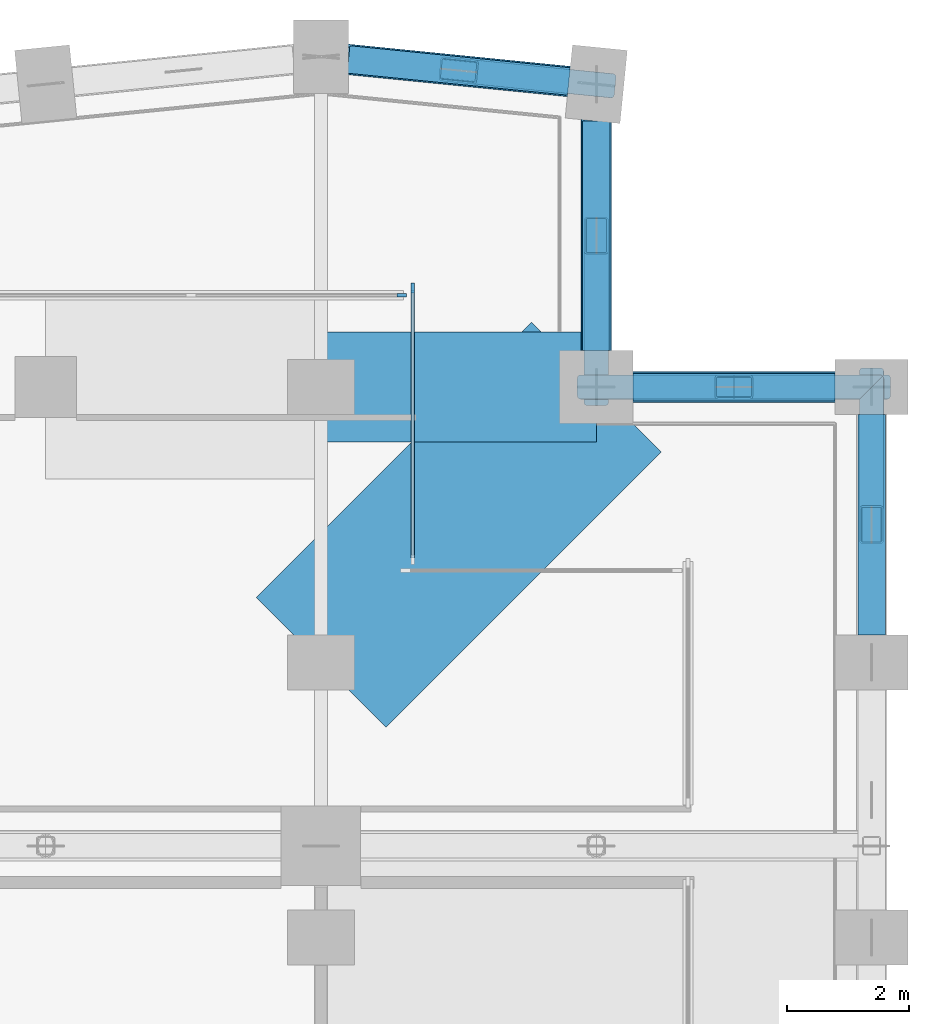
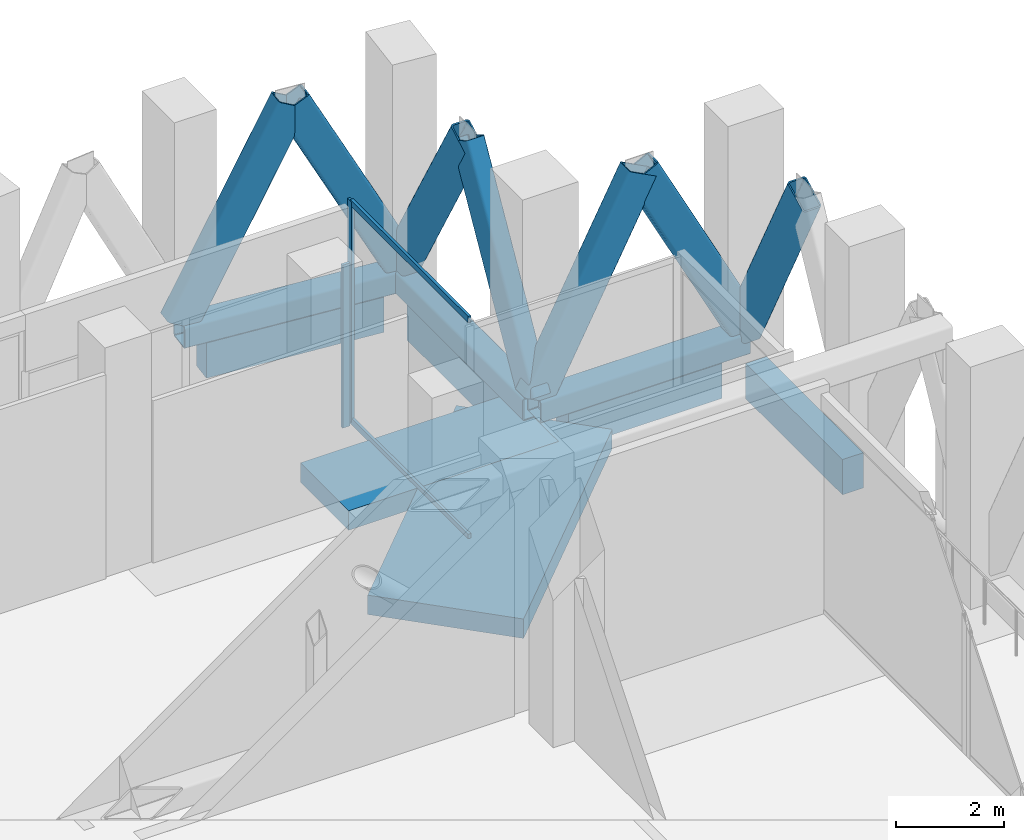
# One storey, part 19 of 37: 14 members, 6 beams, 2 elements without a shape of their own.
"""IFC4 building model written with IfcOpenShell, lengths in metres."""

import ifcopenshell
import ifcopenshell.guid

model = None  # the IFC model being written
_history = None  # IfcOwnerHistory: only IFC2X3 demands one
_inside = {}  # id of a spatial element -> (the spatial element, [elements in it])
_under = {}  # id of a project, library or spatial element -> (it, [spatial elements below it])
_declared = {}  # id of a project -> (the project, [libraries it declares])
_typed = {}  # id of a type object -> (the type object, [elements of that type])
_made_of = {}  # id of a material, layer set ... -> (it, [elements and type objects made of it])


def new_model(schema):
    """Start an empty IFC model of exactly this schema.

    Asked for "IFC4X3", IfcOpenShell would pick the latest addendum, in which some entities
    have other attributes; the version numbers below select the first issue.
    IFC2X3 requires an IfcOwnerHistory on every rooted entity: one is made here for all.
    """
    global model, _history
    if schema == "IFC4X3":
        model = ifcopenshell.file(schema_version=(4, 3, 0, 0))
    else:
        model = ifcopenshell.file(schema=schema)
    _inside.clear()
    _under.clear()
    _declared.clear()
    _typed.clear()
    _made_of.clear()
    _history = None
    if model.schema == "IFC2X3":
        org = make("IfcOrganization", Name="unknown")
        user = make(
            "IfcPersonAndOrganization",
            ThePerson=make("IfcPerson", FamilyName="unknown"),
            TheOrganization=org,
        )
        app = make(
            "IfcApplication",
            ApplicationDeveloper=org,
            Version="unknown",
            ApplicationFullName="unknown",
            ApplicationIdentifier="unknown",
        )
        _history = make(
            "IfcOwnerHistory",
            OwningUser=user,
            OwningApplication=app,
            ChangeAction="ADDED",
            CreationDate=0,
        )
    return model


def make(cls, **values):
    """One entity of the class cls with the attributes given. An attribute that is None is left unset."""
    return model.create_entity(
        cls, **{name: value for name, value in values.items() if value is not None}
    )


def rooted(cls, **values):
    """An entity with a GlobalId (a new one), such as an element, a storey or a relation."""
    return make(cls, GlobalId=ifcopenshell.guid.new(), OwnerHistory=_history, **values)


def si_unit(unit_type, name, prefix=None):
    """IfcSIUnit, for example si_unit("LENGTHUNIT", "METRE", prefix="MILLI")."""
    return make("IfcSIUnit", UnitType=unit_type, Prefix=prefix, Name=name)


def assignment(units):
    """IfcUnitAssignment: the units of a project."""
    return None if units is None else make("IfcUnitAssignment", Units=units)


def point(xyz):
    """IfcCartesianPoint."""
    return None if xyz is None else make("IfcCartesianPoint", Coordinates=xyz)


def direction(xyz):
    """IfcDirection."""
    return None if xyz is None else make("IfcDirection", DirectionRatios=xyz)


def frame(location, z_axis=None, x_axis=None):
    """IfcAxis2Placement3D, a coordinate frame: its origin and axes. An axis left out is left unset."""
    return make(
        "IfcAxis2Placement3D",
        Location=point(location),
        Axis=direction(z_axis),
        RefDirection=direction(x_axis),
    )


def frame_2d(location, x_axis=None):
    """IfcAxis2Placement2D, a coordinate frame in the plane: its origin and x axis."""
    return make(
        "IfcAxis2Placement2D", Location=point(location), RefDirection=direction(x_axis)
    )


def origin():
    """The frame at (0, 0, 0) with its axes left unset."""
    return frame((0.0, 0.0, 0.0))


def origin_2d():
    """The frame at (0, 0) in the plane with its x axis left unset."""
    return frame_2d((0.0, 0.0))


def place(relative_to, where):
    """IfcLocalPlacement: puts the frame where relative to a parent placement (None: the world)."""
    return make(
        "IfcLocalPlacement", PlacementRelTo=relative_to, RelativePlacement=where
    )


def context(
    kind, dimensions, precision=None, world=None, true_north=None, identifier=None
):
    """IfcGeometricRepresentationContext, for example the 3D "Model" context."""
    return make(
        "IfcGeometricRepresentationContext",
        ContextIdentifier=identifier,
        ContextType=kind,
        CoordinateSpaceDimension=dimensions,
        Precision=precision,
        WorldCoordinateSystem=world,
        TrueNorth=true_north,
    )


def subcontext(parent, identifier, kind, view, scale=None):
    """IfcGeometricRepresentationSubContext, for example "Body" below "Model"."""
    return make(
        "IfcGeometricRepresentationSubContext",
        ContextIdentifier=identifier,
        ContextType=kind,
        ParentContext=parent,
        TargetScale=scale,
        TargetView=view,
    )


def project(units=None, contexts=None):
    """IfcProject with its units and contexts."""
    return rooted(
        "IfcProject",
        Name="project",
        RepresentationContexts=contexts,
        UnitsInContext=assignment(units),
    )


def spatial(cls, under=None, at=None, **own):
    """A site, building, storey or space (cls), placed at a placement, below another one or the project."""
    s = rooted(cls, ObjectPlacement=at, **own)
    if under is not None:
        _under.setdefault(under.id(), (under, []))[1].append(s)
    return s


def profile(cls, at=None, kind="AREA", **sizes):
    """A parametric profile (cls). Its sizes go by their IFC names, for example OverallWidth=200.0."""
    return make(cls, ProfileType=kind, Position=at, **sizes)


def rectangle(**sizes):
    """IfcRectangleProfileDef."""
    return profile("IfcRectangleProfileDef", **sizes)


def hollow_rectangle(**sizes):
    """IfcRectangleHollowProfileDef."""
    return profile("IfcRectangleHollowProfileDef", **sizes)


def extrude(swept, where, along, depth):
    """IfcExtrudedAreaSolid: the profile swept, set in the frame where, extruded along a direction by depth."""
    return make(
        "IfcExtrudedAreaSolid",
        SweptArea=swept,
        Position=where,
        ExtrudedDirection=direction(along),
        Depth=depth,
    )


def shape(context_of_items, identifier, shape_type, items):
    """IfcShapeRepresentation: the items that make up one representation, for example the "Body"."""
    return make(
        "IfcShapeRepresentation",
        ContextOfItems=context_of_items,
        RepresentationIdentifier=identifier,
        RepresentationType=shape_type,
        Items=items,
    )


def material(Name=None, Category=None):
    """IfcMaterial."""
    return make("IfcMaterial", Name=Name, Category=Category)


def material_profile(
    of_material, cross_section, Name=None, Category=None, Priority=None
):
    """IfcMaterialProfile: a cross section and its material."""
    return make(
        "IfcMaterialProfile",
        Name=Name,
        Material=of_material,
        Profile=cross_section,
        Priority=Priority,
        Category=Category,
    )


def profile_set(profiles, Name=None, composite=None):
    """IfcMaterialProfileSet."""
    return make(
        "IfcMaterialProfileSet",
        Name=Name,
        MaterialProfiles=profiles,
        CompositeProfile=composite,
    )


def made_of(thing, what):
    """Note that an element or type object is made of a material, layer set ...; save() writes the relation."""
    if what is not None:
        _made_of.setdefault(what.id(), (what, []))[1].append(thing)
    return thing


def type_object(cls, material=None, **own):
    """A type object (cls), such as IfcWallType, which elements share."""
    return made_of(rooted(cls, **own), material)


def element(
    cls,
    number,
    at=None,
    inside=None,
    cuts=None,
    type_object=None,
    material=None,
    context=None,
    identifier="Body",
    shape_type=None,
    held_by="IfcProductDefinitionShape",
    body=None,
    shapes=None,
    **own,
):
    """One element of the class cls, such as IfcWall. Its Tag is "e" and its number.

    at: its placement. inside: the storey or other place that contains it. cuts: it is an
    opening in that element (IfcRelVoidsElement). A single representation is given by context,
    identifier, shape_type and body (its items); several are given by shapes. held_by: the class
    of the entity that holds the representations. save() writes the other relations.
    """
    e = rooted(cls, Tag="e%d" % number, ObjectPlacement=at, **own)
    if body is not None:
        shapes = [shape(context, identifier, shape_type, body)]
    if shapes is not None:
        e.Representation = make(held_by, Representations=shapes)
    if inside is not None:
        _inside.setdefault(inside.id(), (inside, []))[1].append(e)
    if cuts is not None:
        rooted(
            "IfcRelVoidsElement", RelatingBuildingElement=cuts, RelatedOpeningElement=e
        )
    if type_object is not None:
        _typed.setdefault(type_object.id(), (type_object, []))[1].append(e)
    return made_of(e, material)


def aggregate(whole, parts):
    """IfcRelAggregates: a whole, such as a stair, and the parts it consists of."""
    return rooted("IfcRelAggregates", RelatingObject=whole, RelatedObjects=parts)


def save(model, path):
    """Write the relations noted so far, then the file.

    IfcRelAggregates (storeys below a building ...), IfcRelContainedInSpatialStructure (elements
    in a storey), IfcRelDefinesByType, IfcRelAssociatesMaterial and IfcRelDeclares: one each for
    every whole, place, type object, material and project.
    """
    for whole, parts in _under.values():
        aggregate(whole, parts)
    for where, things in _inside.values():
        rooted(
            "IfcRelContainedInSpatialStructure",
            RelatedElements=things,
            RelatingStructure=where,
        )
    for kind, things in _typed.values():
        rooted("IfcRelDefinesByType", RelatedObjects=things, RelatingType=kind)
    for what, things in _made_of.values():
        rooted("IfcRelAssociatesMaterial", RelatedObjects=things, RelatingMaterial=what)
    for by, libraries in _declared.values():
        rooted("IfcRelDeclares", RelatingContext=by, RelatedDefinitions=libraries)
    model.write(path)


model = new_model("IFC4")

# Units and contexts
model_context = context("Model", 3, precision=1e-05, world=origin(), true_north=direction((0.0, 1.0)))
body_context = subcontext(model_context, "Body", "Model", "MODEL_VIEW")
ifc_project = project(units=[si_unit("LENGTHUNIT", "METRE"), si_unit("AREAUNIT", "SQUARE_METRE"), si_unit("VOLUMEUNIT", "CUBIC_METRE"), si_unit("PLANEANGLEUNIT", "RADIAN"), si_unit("MASSUNIT", "GRAM", prefix="KILO")], contexts=[model_context])

# Site, building, storey
site_placement = place(None, origin())
site = spatial("IfcSite", under=ifc_project, at=site_placement, CompositionType="ELEMENT")
building_placement = place(site_placement, origin())
building = spatial("IfcBuilding", under=site, at=building_placement, Name="Brondeck Convention Tower", CompositionType="ELEMENT")
storey_placement = place(building_placement, frame((0.0, 0.0, 137.89990234375)))
storey = spatial("IfcBuildingStorey", under=building, at=storey_placement, Name="L33", CompositionType="ELEMENT", Elevation=137.89990234375)

# Beams
ifc_material_1 = material(Name="Concrete C70/85", Category="concrete")
ifc_material_profile_1 = material_profile(ifc_material_1, rectangle(XDim=1.800048828125, YDim=0.43994140625, at=origin_2d()), Name="Band beam 1800x440 Concrete C70/85")
ifc_profile_set_1 = profile_set([ifc_material_profile_1], Name="Concrete C70/85")
beam_type_1 = type_object("IfcBeamType", Name="Band beam 1800x440 Concrete C70/85", PredefinedType="BEAM", material=ifc_profile_set_1)
beam_1_placement = place(storey_placement, frame((63.0, 58.5, -0.219970703125), z_axis=(1.0, 0.0, 0.0), x_axis=(0.0, 1.0, 0.0)))
element("IfcBeam", 1, at=beam_1_placement, inside=storey, type_object=beam_type_1, Name="Band beam L33-28", PredefinedType="BEAM", context=body_context, shape_type="SweptSolid", body=[
    extrude(rectangle(XDim=1.800048828125, YDim=0.43994140625, at=origin_2d()), origin(), (0.0, 0.0, 1.0), 4.5),
])
ifc_material_profile_2 = material_profile(ifc_material_1, rectangle(XDim=3.0, YDim=0.43994140625, at=origin_2d()), Name="Band beam 3000x440 Concrete C70/85")
ifc_profile_set_2 = profile_set([ifc_material_profile_2], Name="Concrete C70/85")
beam_type_2 = type_object("IfcBeamType", Name="Band beam 3000x440 Concrete C70/85", PredefinedType="BEAM", material=ifc_profile_set_2)
beam_2_placement = place(storey_placement, frame((63.0, 54.0, -0.219970703125), z_axis=(0.707106781187, 0.707106781187, 0.0), x_axis=(-0.707106781187, 0.707106781187, 0.0)))
element("IfcBeam", 2, at=beam_2_placement, inside=storey, type_object=beam_type_2, Name="Band beam L33-27", PredefinedType="BEAM", context=body_context, shape_type="SweptSolid", body=[
    extrude(rectangle(XDim=3.0, YDim=0.43994140625, at=origin_2d()), origin(), (0.0, 0.0, 1.0), 6.364013671875),
])

# Curtain wall, member
ifc_material_2 = material(Name="Aluminium, bronze anodised", Category="aluminium")
curtain_wall_type = type_object("IfcCurtainWallType", Name="Sky lobby curtain wall", PredefinedType="NOTDEFINED", material=ifc_material_2)
curtain_wall_1_placement = place(storey_placement, origin())
curtain_wall_1 = element("IfcCurtainWall", 3, at=curtain_wall_1_placement, inside=storey, type_object=curtain_wall_type, Name="ENV-L33-023-CW30", PredefinedType="NOTDEFINED")
ifc_material_profile_3 = material_profile(ifc_material_2, rectangle(XDim=0.06005859375, YDim=0.159912109375, at=origin_2d()), Name="CW3 mullion")
ifc_profile_set_3 = profile_set([ifc_material_profile_3], Name="Aluminium, bronze anodised")
member_type_1 = type_object("IfcMemberType", Name="CW3 mullion", PredefinedType="MULLION", material=ifc_profile_set_3)
member_1_placement = place(storey_placement, frame((64.5, 60.1201171875, 0.0), z_axis=(0.0, 0.0, 1.0), x_axis=(1.0, 0.0, 0.0)))
member_1 = element("IfcMember", 4, at=member_1_placement, type_object=member_type_1, Name="CW3 mullion 1", PredefinedType="MULLION", context=body_context, shape_type="SweptSolid", body=[
    extrude(rectangle(XDim=0.06005859375, YDim=0.159912109375, at=origin_2d()), origin(), (0.0, 0.0, 1.0), 5.0),
])

curtain_wall_2_placement = place(storey_placement, origin())
curtain_wall_2 = element("IfcCurtainWall", 5, at=curtain_wall_2_placement, inside=storey, type_object=curtain_wall_type, Name="ENV-L33-024-CW30", PredefinedType="NOTDEFINED")
member_2_placement = place(storey_placement, frame((64.320068359375, 60.0, 0.0), z_axis=(0.0, 0.0, 1.0), x_axis=(0.0, 1.0, 0.0)))
member_2 = element("IfcMember", 6, at=member_2_placement, type_object=member_type_1, Name="CW3 mullion 3", PredefinedType="MULLION", context=body_context, shape_type="SweptSolid", body=[
    extrude(rectangle(XDim=0.06005859375, YDim=0.159912109375, at=origin_2d()), origin(), (0.0, 0.0, 1.0), 3.7001953125),
])
aggregate(curtain_wall_2, [member_2])

# Member
ifc_material_profile_4 = material_profile(ifc_material_2, rectangle(XDim=0.06005859375, YDim=0.139892578125, at=origin_2d()), Name="CW3 transom")
ifc_profile_set_4 = profile_set([ifc_material_profile_4], Name="Aluminium, bronze anodised")
member_type_2 = type_object("IfcMemberType", Name="CW3 transom", PredefinedType="USERDEFINED", material=ifc_profile_set_4)
member_3_placement = place(storey_placement, frame((64.5, 60.090087890625, 0.030029296875), z_axis=(0.0, -1.0, 0.0), x_axis=(1.0, 0.0, 0.0)))
member_3 = element("IfcMember", 7, at=member_3_placement, type_object=member_type_2, Name="CW3 transom 1.1", ObjectType="TRANSOM", PredefinedType="USERDEFINED", context=body_context, shape_type="SweptSolid", body=[
    extrude(rectangle(XDim=0.06005859375, YDim=0.139892578125, at=origin_2d()), origin(), (0.0, 0.0, 1.0), 4.382080078125),
])

member_4_placement = place(storey_placement, frame((64.5, 60.090087890625, 4.97021484375), z_axis=(0.0, -1.0, 0.0), x_axis=(1.0, 0.0, 0.0)))
member_4 = element("IfcMember", 8, at=member_4_placement, type_object=member_type_2, Name="CW3 transom 1.2", ObjectType="TRANSOM", PredefinedType="USERDEFINED", context=body_context, shape_type="SweptSolid", body=[
    extrude(rectangle(XDim=0.06005859375, YDim=0.139892578125, at=origin_2d()), origin(), (0.0, 0.0, 1.0), 4.382080078125),
])

aggregate(curtain_wall_1, [member_1, member_3, member_4])

# Members
ifc_material_3 = material(Name="Steel S460", Category="steel")
ifc_material_profile_5 = material_profile(ifc_material_3, hollow_rectangle(XDim=0.39990234375, YDim=0.699951171875, WallThickness=0.030029296875, InnerFilletRadius=0.030029296875, OuterFilletRadius=0.06005859375, at=origin_2d()), Name="RHS 700x400x30")
ifc_profile_set_5 = profile_set([ifc_material_profile_5], Name="Steel S460")
member_type_3 = type_object("IfcMemberType", Name="Chevron brace RHS 700x400x30", PredefinedType="BRACE", material=ifc_profile_set_5)
for number, where, z_axis, x_axis, name in (
    (9, (72.0, 58.5, 0.5), (0.0, -0.459414782038, 0.888221851817), (1.0, 0.0, 0.0), "Belt truss BT-33-28 diagonal"),
    (10, (72.0, 58.5, 0.5), (-0.459414782038, 0.0, 0.888221851817), (0.0, -1.0, 0.0), "Belt truss BT-33-29 diagonal"),
    (11, (67.5, 58.5, 0.5), (0.459414782038, 0.0, 0.888221851817), (0.0, 1.0, 0.0), "Belt truss BT-33-29 diagonal"),
):
    element("IfcMember", number, at=place(storey_placement, frame(where, z_axis=z_axis, x_axis=x_axis)), inside=storey, type_object=member_type_3, Name=name, PredefinedType="BRACE", context=body_context, shape_type="SweptSolid", body=[
        extrude(hollow_rectangle(XDim=0.39990234375, YDim=0.699951171875, WallThickness=0.030029296875, InnerFilletRadius=0.030029296875, OuterFilletRadius=0.06005859375, at=origin_2d()), origin(), (0.0, 0.0, 1.0), 4.8974609375),
    ])
for number, where, z_axis, x_axis, name in (
    (12, (67.5, 58.5, 0.5), (0.0, 0.494530602788, 0.869160217052), (-1.0, 0.0, 0.0), "Belt truss BT-33-30 diagonal"),
    (13, (67.5, 63.449951171875, 0.5), (0.0, -0.494493751194, 0.869181183661), (1.0, 0.0, 0.0), "Belt truss BT-33-30 diagonal"),
):
    element("IfcMember", number, at=place(storey_placement, frame(where, z_axis=z_axis, x_axis=x_axis)), inside=storey, type_object=member_type_3, Name=name, PredefinedType="BRACE", context=body_context, shape_type="SweptSolid", body=[
        extrude(hollow_rectangle(XDim=0.39990234375, YDim=0.699951171875, WallThickness=0.030029296875, InnerFilletRadius=0.030029296875, OuterFilletRadius=0.06005859375, at=origin_2d()), origin(), (0.0, 0.0, 1.0), 5.0048828125),
    ])
for number, where, z_axis, x_axis, name in (
    (14, (67.5, 63.449951171875, 0.5), (-0.458930303654, 0.045912949215, 0.887285172581), (-0.099546478526, -0.995032913332, 0.0), "Belt truss BT-33-31 diagonal"),
    (15, (63.0, 63.89990234375, 0.5), (0.458931352356, -0.045863256892, 0.887287200117), (0.099439578731, 0.995043602151, 0.0), "Belt truss BT-33-31 diagonal"),
):
    element("IfcMember", number, at=place(storey_placement, frame(where, z_axis=z_axis, x_axis=x_axis)), inside=storey, type_object=member_type_3, Name=name, PredefinedType="BRACE", context=body_context, shape_type="SweptSolid", body=[
        extrude(hollow_rectangle(XDim=0.39990234375, YDim=0.699951171875, WallThickness=0.030029296875, InnerFilletRadius=0.030029296875, OuterFilletRadius=0.06005859375, at=origin_2d()), origin(), (0.0, 0.0, 1.0), 4.902587890625),
    ])

# Beams
ifc_material_profile_6 = material_profile(ifc_material_1, rectangle(XDim=0.449951171875, YDim=0.800048828125, at=origin_2d()), Name="Precast spandrel 450x800 Concrete C70/85")
ifc_profile_set_6 = profile_set([ifc_material_profile_6], Name="Concrete C70/85")
beam_type_3 = type_object("IfcBeamType", Name="Precast spandrel 450x800 Concrete C70/85", PredefinedType="SPANDREL", material=ifc_profile_set_6)
beam_3_placement = place(storey_placement, frame((72.0, 54.449951171875, -0.39990234375), z_axis=(0.0, 1.0, 0.0), x_axis=(-1.0, 0.0, 0.0)))
element("IfcBeam", 16, at=beam_3_placement, inside=storey, type_object=beam_type_3, Name="STR-SP-L33-028", PredefinedType="SPANDREL", context=body_context, shape_type="SweptSolid", body=[
    extrude(rectangle(XDim=0.449951171875, YDim=0.800048828125, at=origin_2d()), origin(), (0.0, 0.0, 1.0), 3.60009765625),
])
beam_4_placement = place(storey_placement, frame((71.39990234375, 58.5, -0.39990234375), z_axis=(-1.0, 0.0, 0.0), x_axis=(0.0, -1.0, 0.0)))
element("IfcBeam", 17, at=beam_4_placement, inside=storey, type_object=beam_type_3, Name="STR-SP-L33-029", PredefinedType="SPANDREL", context=body_context, shape_type="SweptSolid", body=[
    extrude(rectangle(XDim=0.449951171875, YDim=0.800048828125, at=origin_2d()), origin(), (0.0, 0.0, 1.0), 3.2998046875),
])
beam_5_placement = place(storey_placement, frame((67.5, 59.10009765625, -0.39990234375), z_axis=(0.0, 1.0, 0.0), x_axis=(-1.0, 0.0, 0.0)))
element("IfcBeam", 18, at=beam_5_placement, inside=storey, type_object=beam_type_3, Name="STR-SP-L33-030", PredefinedType="SPANDREL", context=body_context, shape_type="SweptSolid", body=[
    extrude(rectangle(XDim=0.449951171875, YDim=0.800048828125, at=origin_2d()), origin(), (0.0, 0.0, 1.0), 3.746826171875),
])
beam_6_placement = place(storey_placement, frame((67.05224609375, 63.494873046875, -0.39990234375), z_axis=(-0.995040528141, 0.099470334057, 0.0), x_axis=(-0.099470334057, -0.995040528141, 0.0)))
element("IfcBeam", 19, at=beam_6_placement, inside=storey, type_object=beam_type_3, Name="STR-SP-L33-031", PredefinedType="SPANDREL", context=body_context, shape_type="SweptSolid", body=[
    extrude(rectangle(XDim=0.449951171875, YDim=0.800048828125, at=origin_2d()), origin(), (0.0, 0.0, 1.0), 3.620361328125),
])

# Members
ifc_material_profile_7 = material_profile(ifc_material_3, hollow_rectangle(XDim=0.5, YDim=0.5, WallThickness=0.02490234375, InnerFilletRadius=0.02490234375, OuterFilletRadius=0.050048828125, at=origin_2d()), Name="RHS 500x500x25")
ifc_profile_set_7 = profile_set([ifc_material_profile_7], Name="Steel S460")
member_type_4 = type_object("IfcMemberType", Name="Truss chord RHS 500x500x25", PredefinedType="CHORD", material=ifc_profile_set_7)
member_5_placement = place(storey_placement, frame((72.0, 58.5, 0.25), z_axis=(-1.0, 0.0, 0.0), x_axis=(0.0, -1.0, 0.0)))
element("IfcMember", 20, at=member_5_placement, inside=storey, type_object=member_type_4, Name="Belt truss BT-33-14 chord", PredefinedType="CHORD", context=body_context, shape_type="SweptSolid", body=[
    extrude(hollow_rectangle(XDim=0.5, YDim=0.5, WallThickness=0.02490234375, InnerFilletRadius=0.02490234375, OuterFilletRadius=0.050048828125, at=origin_2d()), origin(), (0.0, 0.0, 1.0), 4.5),
])
member_6_placement = place(storey_placement, frame((67.5, 58.5, 0.25), z_axis=(0.0, 1.0, 0.0), x_axis=(-1.0, 0.0, 0.0)))
element("IfcMember", 21, at=member_6_placement, inside=storey, type_object=member_type_4, Name="Belt truss BT-33-15 chord", PredefinedType="CHORD", context=body_context, shape_type="SweptSolid", body=[
    extrude(hollow_rectangle(XDim=0.5, YDim=0.5, WallThickness=0.02490234375, InnerFilletRadius=0.02490234375, OuterFilletRadius=0.050048828125, at=origin_2d()), origin(), (0.0, 0.0, 1.0), 4.949951171875),
])
member_7_placement = place(storey_placement, frame((67.5, 63.449951171875, 0.25), z_axis=(-0.995038259148, 0.099493029059, 0.0), x_axis=(-0.099493029059, -0.995038259148, 0.0)))
element("IfcMember", 22, at=member_7_placement, inside=storey, type_object=member_type_4, Name="Belt truss BT-33-16 chord", PredefinedType="CHORD", context=body_context, shape_type="SweptSolid", body=[
    extrude(hollow_rectangle(XDim=0.5, YDim=0.5, WallThickness=0.02490234375, InnerFilletRadius=0.02490234375, OuterFilletRadius=0.050048828125, at=origin_2d()), origin(), (0.0, 0.0, 1.0), 4.5224609375),
])

save(model, "model.ifc")
